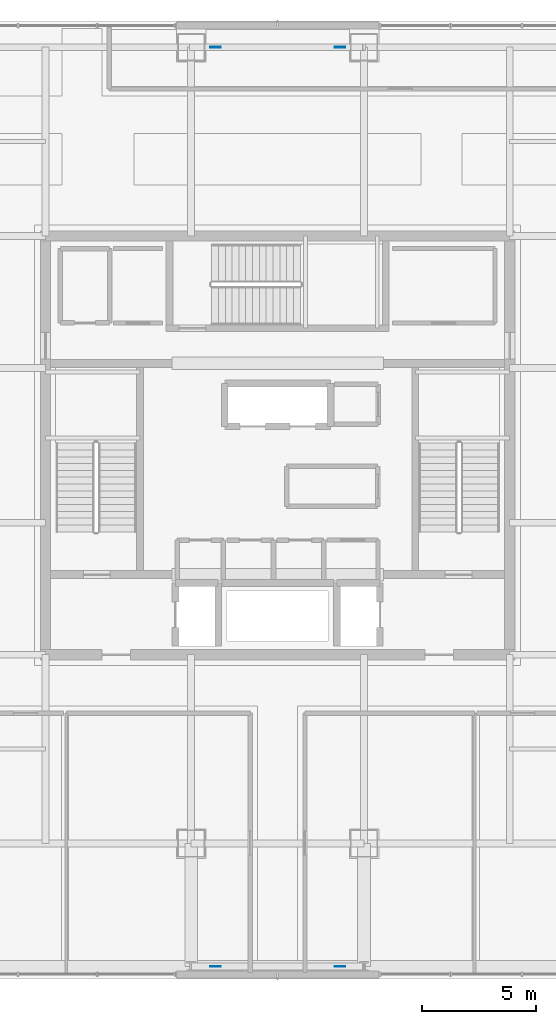
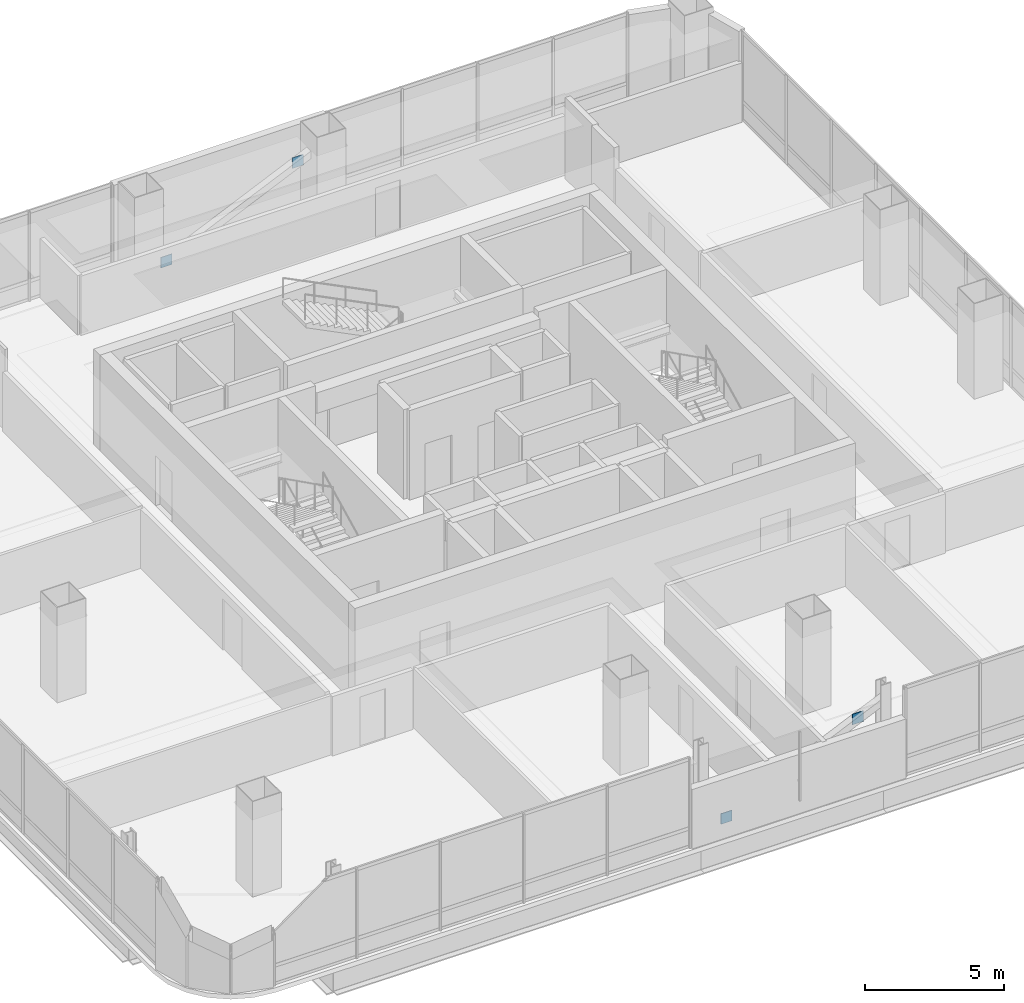
# One storey, part 34 of 46: 4 plates.
"""IFC4 building model written with IfcOpenShell, lengths in metres."""

from ifc_helpers import new_model, si_unit, direction, frame, origin, origin_2d, place, context, subcontext, project, spatial, rectangle, extrude, material, layer, layer_set, type_object, element, save


model = new_model("IFC4")

# Units and contexts
model_context = context("Model", 3, precision=1e-05, world=origin(), true_north=direction((0.0, 1.0)))
body_context = subcontext(model_context, "Body", "Model", "MODEL_VIEW")
ifc_project = project(units=[si_unit("LENGTHUNIT", "METRE"), si_unit("AREAUNIT", "SQUARE_METRE"), si_unit("VOLUMEUNIT", "CUBIC_METRE"), si_unit("PLANEANGLEUNIT", "RADIAN"), si_unit("MASSUNIT", "GRAM", prefix="KILO")], contexts=[model_context])

# Site, building, storey
site_placement = place(None, origin())
site = spatial("IfcSite", under=ifc_project, at=site_placement, CompositionType="ELEMENT")
building_placement = place(site_placement, origin())
building = spatial("IfcBuilding", under=site, at=building_placement, Name="Punatoya Terracotta Tower", CompositionType="ELEMENT")
storey_placement = place(building_placement, frame((0.0, 0.0, 330.0)))
storey = spatial("IfcBuildingStorey", under=building, at=storey_placement, Name="L78", CompositionType="ELEMENT", Elevation=330.0)

# Plates
ifc_material = material(Name="Steel S460", Category="steel")
ifc_layer = layer(ifc_material, 0.031982421875)
ifc_layer_set = layer_set([ifc_layer], Name="Steel S460")
plate_type = type_object("IfcPlateType", Name="PLT-END-32", PredefinedType="USERDEFINED", material=ifc_layer_set)
for number, where, z_axis, x_axis, name in (
    (1, (-2.736083984375, -22.89990234375, 0.268798828125), (0.0, 0.0, 1.0), (1.0, 0.0, 0.0), "L78 Wind Brace S2 End Plate 1"),
    (2, (2.736083984375, -22.89990234375, 2.731201171875), (0.0, 0.0, 1.0), (1.0, 0.0, 0.0), "L78 Wind Brace S2 End Plate 2"),
    (3, (-2.736083984375, 17.5, 0.268798828125), (0.0, 0.0, 1.0), (1.0, 0.0, 0.0), "L78 Wind Brace N2 End Plate 1"),
    (4, (2.736083984375, 17.5, 2.731201171875), (0.0, 0.0, 1.0), (1.0, 0.0, 0.0), "L78 Wind Brace N2 End Plate 2"),
):
    element("IfcPlate", number, at=place(storey_placement, frame(where, z_axis=z_axis, x_axis=x_axis)), inside=storey, type_object=plate_type, Name=name, ObjectType="FLANGE_PLATE", PredefinedType="USERDEFINED", context=body_context, shape_type="SweptSolid", body=[
        extrude(rectangle(XDim=0.4599609375, YDim=0.031982421875, at=origin_2d()), origin(), (0.0, 0.0, 1.0), 0.4599609375),
    ])

save(model, "model.ifc")
